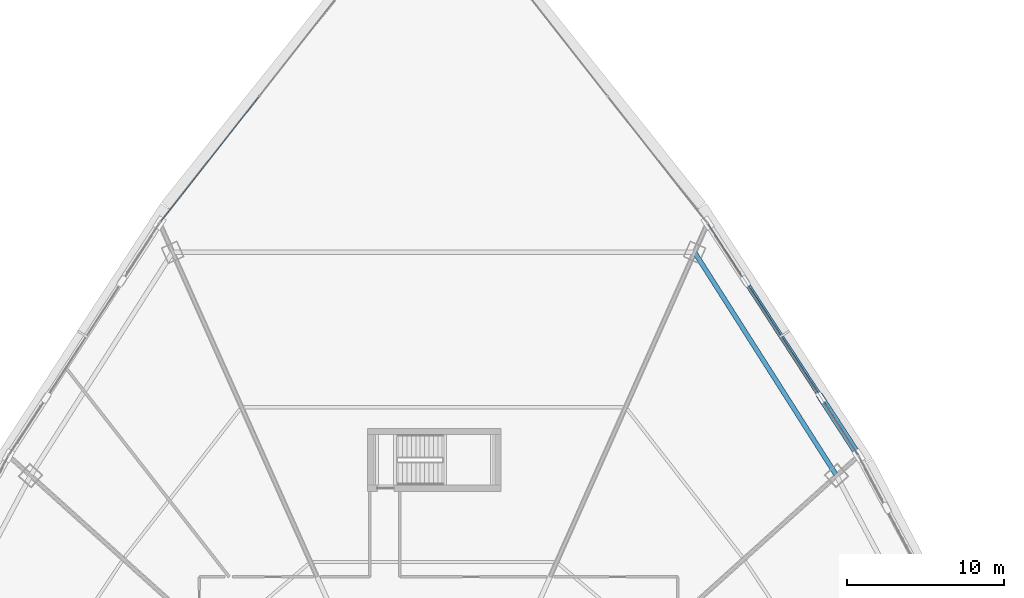
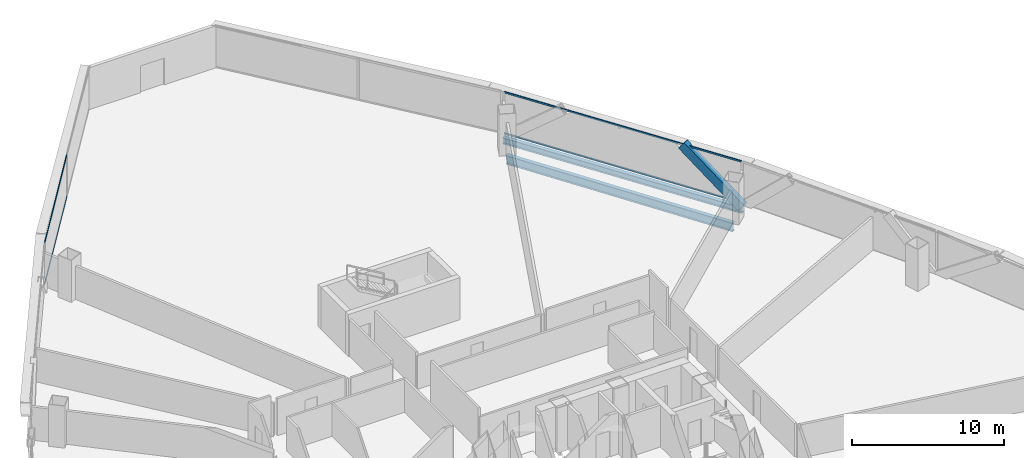
# One storey, part 24 of 38: 5 members, 2 beams, 2 elements without a shape of their own.
"""IFC4 building model written with IfcOpenShell, lengths in metres."""

from ifc_helpers import new_model, si_unit, direction, frame, origin, origin_2d, place, context, subcontext, project, spatial, hollow_rectangle, i_section, extrude, source, transform, mapped, material, layer, layer_set, material_profile, profile_set, type_object, element, aggregate, save


model = new_model("IFC4")

# Units and contexts
model_context = context("Model", 3, precision=1e-05, world=origin(), true_north=direction((0.0, 1.0)))
body_context = subcontext(model_context, "Body", "Model", "MODEL_VIEW")
ifc_project = project(units=[si_unit("LENGTHUNIT", "METRE"), si_unit("AREAUNIT", "SQUARE_METRE"), si_unit("VOLUMEUNIT", "CUBIC_METRE"), si_unit("PLANEANGLEUNIT", "RADIAN"), si_unit("MASSUNIT", "GRAM", prefix="KILO"), si_unit("THERMODYNAMICTEMPERATUREUNIT", "KELVIN"), si_unit("POWERUNIT", "WATT")], contexts=[model_context])

# Site, building, storey
site_placement = place(None, origin())
site = spatial("IfcSite", under=ifc_project, at=site_placement, CompositionType="ELEMENT")
building_placement = place(site_placement, origin())
building = spatial("IfcBuilding", under=site, at=building_placement, Name="Yunzhuo Pagoda Commons", CompositionType="ELEMENT")
storey_placement = place(building_placement, frame((0.0, 0.0, 34.030029296875)))
storey = spatial("IfcBuildingStorey", under=building, at=storey_placement, Name="L08", CompositionType="ELEMENT", Elevation=34.030029296875)

# Beams
ifc_material_1 = material(Name="Structural steel Q355B", Category="steel")
ifc_material_profile_1 = material_profile(ifc_material_1, i_section(OverallWidth=0.300048828125, OverallDepth=0.699951171875, WebThickness=0.012939453125, FlangeThickness=0.02392578125, at=origin_2d()), Name="Structural steel Q355B")
ifc_profile_set_1 = profile_set([ifc_material_profile_1], Name="Structural steel Q355B")
beam_type_1 = type_object("IfcBeamType", Name="B-RG1 Beam HN 700x300x13x24", PredefinedType="BEAM", material=ifc_profile_set_1)
shared_shape_1 = source(origin(), body_context, "Body", "SweptSolid", [
    extrude(i_section(OverallWidth=0.300048828125, OverallDepth=0.699951171875, WebThickness=0.012939453125, FlangeThickness=0.02392578125, at=origin_2d()), origin(), (0.0, 0.0, 1.0), 16.843994140625),
])
beam_1_placement = place(storey_placement, frame((73.648681640625, 56.79443359375, -0.610107421875), z_axis=(-0.536558458992, 0.843863152462, 0.0), x_axis=(-0.843863152462, -0.536558458992, 0.0)))
element("IfcBeam", 1, at=beam_1_placement, inside=storey, type_object=beam_type_1, Name="L08 column-ring beam 7", PredefinedType="BEAM", context=body_context, shape_type="MappedRepresentation", body=[
    mapped(shared_shape_1, transform((0.0, 0.0, 0.0), scale=1.0)),
])
ifc_material_profile_2 = material_profile(ifc_material_1, i_section(OverallWidth=0.300048828125, OverallDepth=0.488037109375, WebThickness=0.010986328125, FlangeThickness=0.01806640625, at=origin_2d()), Name="Structural steel Q355B")
ifc_profile_set_2 = profile_set([ifc_material_profile_2], Name="Structural steel Q355B")
beam_type_2 = type_object("IfcBeamType", Name="B-SP1 Beam HM 488x300x11x18", PredefinedType="BEAM", material=ifc_profile_set_2)
shared_shape_2 = source(origin(), body_context, "Body", "SweptSolid", [
    extrude(i_section(OverallWidth=0.300048828125, OverallDepth=0.488037109375, WebThickness=0.010986328125, FlangeThickness=0.01806640625, at=origin_2d()), origin(), (0.0, 0.0, 1.0), 17.656494140625),
])
beam_2_placement = place(storey_placement, frame((75.056640625, 58.061767578125, -0.504150390625), z_axis=(-0.544679207435, 0.838644478303, 0.0), x_axis=(-0.838644478303, -0.544679207435, 0.0)))
element("IfcBeam", 2, at=beam_2_placement, inside=storey, type_object=beam_type_2, Name="L08 facade edge spandrel beam F2.3", PredefinedType="BEAM", context=body_context, shape_type="MappedRepresentation", body=[
    mapped(shared_shape_2, transform((0.0, 0.0, 0.0), scale=1.0)),
])

# Member
ifc_material_2 = material(Name="Structural steel Q420B", Category="steel")
ifc_material_profile_3 = material_profile(ifc_material_2, hollow_rectangle(XDim=0.419921875, YDim=0.719970703125, WallThickness=0.028076171875, at=origin_2d()), Name="Structural steel Q420B")
ifc_profile_set_3 = profile_set([ifc_material_profile_3], Name="Structural steel Q420B")
member_type_1 = type_object("IfcMemberType", Name="M-DL1 Brace BOX 720x420x28", PredefinedType="BRACE", material=ifc_profile_set_3)
shared_shape_3 = source(origin(), body_context, "Body", "SweptSolid", [
    extrude(hollow_rectangle(XDim=0.419921875, YDim=0.719970703125, WallThickness=0.028076171875, at=origin_2d()), origin(), (0.0, 0.0, 1.0), 5.71484375),
])
member_1_placement = place(storey_placement, frame((75.056640625, 58.061767578125, -0.259765625), z_axis=(-0.420748752811, 0.647762548367, 0.635117444211), x_axis=(-0.838619213619, -0.544718105582, 0.0)))
element("IfcMember", 3, at=member_1_placement, inside=storey, type_object=member_type_1, Name="L08 facade diamond brace F2.3L", PredefinedType="BRACE", context=body_context, shape_type="MappedRepresentation", body=[
    mapped(shared_shape_3, transform((0.0, 0.0, 0.0), scale=1.0)),
])

# Curtain wall, members
ifc_material_3 = material(Name="Anodized aluminium 6063-T6", Category="aluminium")
ifc_layer = layer(ifc_material_3, 0.1650390625)
ifc_layer_set = layer_set([ifc_layer], Name="Anodized aluminium 6063-T6")
curtain_wall_type = type_object("IfcCurtainWallType", Name="CW-LOW Low-Zone Ribbon Curtain Wall", PredefinedType="NOTDEFINED", material=ifc_layer_set)
curtain_wall_1_placement = place(storey_placement, origin())
curtain_wall_1 = element("IfcCurtainWall", 4, at=curtain_wall_1_placement, inside=storey, type_object=curtain_wall_type, Name="L08 curtain wall CW-L08-F2B4", PredefinedType="NOTDEFINED")
ifc_material_profile_4 = material_profile(ifc_material_3, hollow_rectangle(XDim=0.06005859375, YDim=0.139892578125, WallThickness=0.00341796875, at=origin_2d()), Name="Anodized aluminium 6063-T6")
ifc_profile_set_4 = profile_set([ifc_material_profile_4], Name="Anodized aluminium 6063-T6")
member_type_2 = type_object("IfcMemberType", Name="CW-LOW-T Transom RHS 140x60x3.5", PredefinedType="USERDEFINED", material=ifc_profile_set_4)
shared_shape_4 = source(origin(), body_context, "Body", "SweptSolid", [
    extrude(hollow_rectangle(XDim=0.06005859375, YDim=0.139892578125, WallThickness=0.00341796875, at=origin_2d()), origin(), (0.0, 0.0, 1.0), 17.5263671875),
])
member_2_placement = place(storey_placement, frame((75.02099609375, 58.1162109375, 0.030029296875), z_axis=(-0.544656342165, 0.838659328297, 0.0), x_axis=(-0.838659328297, -0.544656342165, 0.0)))
member_2 = element("IfcMember", 5, at=member_2_placement, type_object=member_type_2, Name="CW transom 1.1", ObjectType="TRANSOM", PredefinedType="USERDEFINED", context=body_context, shape_type="MappedRepresentation", body=[
    mapped(shared_shape_4, transform((0.0, 0.0, 0.0), scale=1.0)),
])
member_3_placement = place(storey_placement, frame((75.02099609375, 58.1162109375, 3.340087890625), z_axis=(-0.544656342165, 0.838659328297, 0.0), x_axis=(-0.838659328297, -0.544656342165, 0.0)))
member_3 = element("IfcMember", 6, at=member_3_placement, type_object=member_type_2, Name="CW transom 1.2", ObjectType="TRANSOM", PredefinedType="USERDEFINED", context=body_context, shape_type="MappedRepresentation", body=[
    mapped(shared_shape_4, transform((0.0, 0.0, 0.0), scale=1.0)),
])
aggregate(curtain_wall_1, [member_2, member_3])

curtain_wall_2_placement = place(storey_placement, origin())
curtain_wall_2 = element("IfcCurtainWall", 7, at=curtain_wall_2_placement, inside=storey, type_object=curtain_wall_type, Name="L08 curtain wall CW-L08-F3B1", PredefinedType="NOTDEFINED")
shared_shape_5 = source(origin(), body_context, "Body", "SweptSolid", [
    extrude(hollow_rectangle(XDim=0.06005859375, YDim=0.139892578125, WallThickness=0.00341796875, at=origin_2d()), origin(), (0.0, 0.0, 1.0), 10.116455078125),
])
member_4_placement = place(storey_placement, frame((36.904052734375, 80.928955078125, 0.030029296875), z_axis=(-0.618483204392, -0.785798018504, 0.0), x_axis=(0.785798018504, -0.618483204392, 0.0)))
member_4 = element("IfcMember", 8, at=member_4_placement, type_object=member_type_2, Name="CW transom 2.1", ObjectType="TRANSOM", PredefinedType="USERDEFINED", context=body_context, shape_type="MappedRepresentation", body=[
    mapped(shared_shape_5, transform((0.0, 0.0, 0.0), scale=1.0)),
])
member_5_placement = place(storey_placement, frame((36.904052734375, 80.928955078125, 3.340087890625), z_axis=(-0.618483204392, -0.785798018504, 0.0), x_axis=(0.785798018504, -0.618483204392, 0.0)))
member_5 = element("IfcMember", 9, at=member_5_placement, type_object=member_type_2, Name="CW transom 2.2", ObjectType="TRANSOM", PredefinedType="USERDEFINED", context=body_context, shape_type="MappedRepresentation", body=[
    mapped(shared_shape_5, transform((0.0, 0.0, 0.0), scale=1.0)),
])
aggregate(curtain_wall_2, [member_4, member_5])

save(model, "model.ifc")
